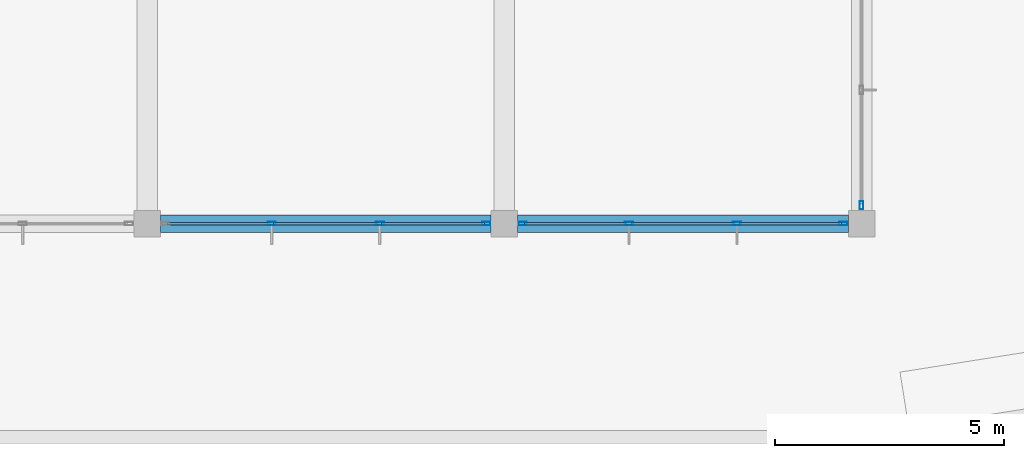
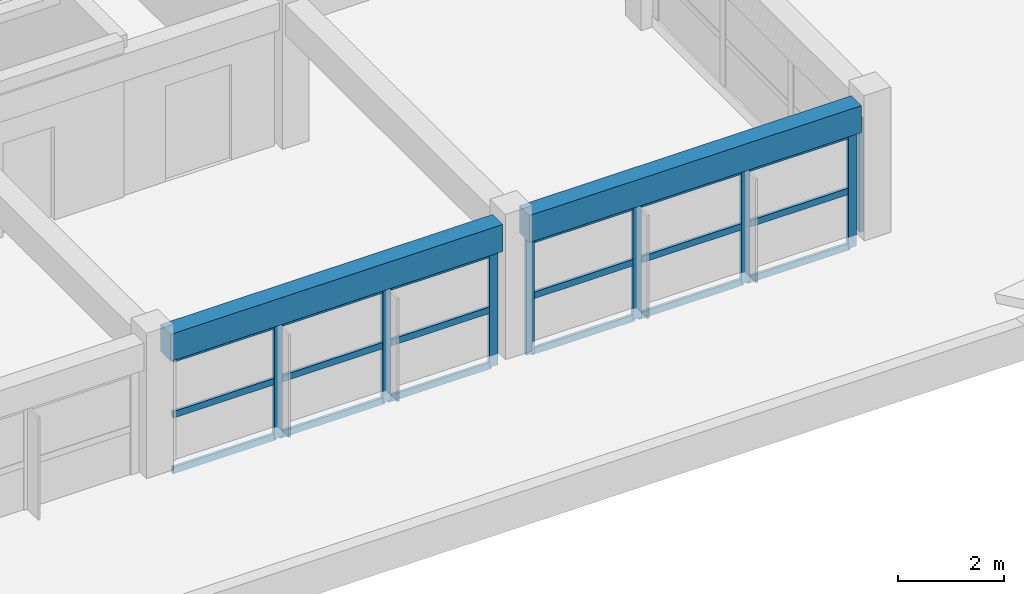
# One storey, part 53 of 101: 26 members, 2 beams, 3 elements without a shape of their own.
"""IFC4 building model written with IfcOpenShell, lengths in metres."""

from ifc_helpers import new_model, si_unit, direction, frame, origin, origin_2d, place, context, subcontext, project, spatial, rectangle, hollow_rectangle, extrude, material, layer, layer_set, material_profile, profile_set, type_object, element, aggregate, save


model = new_model("IFC4")

# Units and contexts
model_context = context("Model", 3, precision=1e-05, world=origin(), true_north=direction((0.0, 1.0)))
body_context = subcontext(model_context, "Body", "Model", "MODEL_VIEW")
ifc_project = project(units=[si_unit("LENGTHUNIT", "METRE"), si_unit("AREAUNIT", "SQUARE_METRE"), si_unit("VOLUMEUNIT", "CUBIC_METRE"), si_unit("PLANEANGLEUNIT", "RADIAN"), si_unit("MASSUNIT", "GRAM", prefix="KILO")], contexts=[model_context])

# Site, building, storey
site_placement = place(None, origin())
site = spatial("IfcSite", under=ifc_project, at=site_placement, CompositionType="ELEMENT")
building_placement = place(site_placement, origin())
building = spatial("IfcBuilding", under=site, at=building_placement, Name="Zizhar Promenade General Hospital", CompositionType="ELEMENT")
storey_placement = place(building_placement, frame((0.0, 0.0, 14.39990234375)))
storey = spatial("IfcBuildingStorey", under=building, at=storey_placement, Name="L03", CompositionType="ELEMENT", Elevation=14.39990234375)

# Beams
ifc_material_1 = material(Name="Concrete C35/45", Category="concrete")
ifc_material_profile_1 = material_profile(ifc_material_1, rectangle(XDim=0.3798828125, YDim=0.6201171875, at=origin_2d()))
ifc_profile_set_1 = profile_set([ifc_material_profile_1], Name="Concrete C35/45")
beam_type = type_object("IfcBeamType", Name="BM-RC-380x620", PredefinedType="JOIST", material=ifc_profile_set_1)
beam_1_placement = place(storey_placement, frame((171.889892578125, 42.0, 3.0), z_axis=(1.0, 0.0, 0.0), x_axis=(0.0, 1.0, 0.0)))
element("IfcBeam", 1, at=beam_1_placement, inside=storey, type_object=beam_type, Name="Grid Beam X L03 (22-5)", PredefinedType="JOIST", context=body_context, shape_type="SweptSolid", body=[
    extrude(rectangle(XDim=0.3798828125, YDim=0.6201171875, at=origin_2d()), origin(), (0.0, 0.0, 1.0), 7.22021484375),
])
beam_2_placement = place(storey_placement, frame((179.68994140625, 42.0, 3.0), z_axis=(1.0, 0.0, 0.0), x_axis=(0.0, 1.0, 0.0)))
element("IfcBeam", 2, at=beam_2_placement, inside=storey, type_object=beam_type, Name="Grid Beam X L03 (23-5)", PredefinedType="JOIST", context=body_context, shape_type="SweptSolid", body=[
    extrude(rectangle(XDim=0.3798828125, YDim=0.6201171875, at=origin_2d()), origin(), (0.0, 0.0, 1.0), 7.219970703125),
])

# Curtain wall, members
ifc_material_2 = material(Name="Anodised aluminium 6063-T6 and low-E glass", Category="aluminium")
ifc_layer = layer(ifc_material_2, 0.159912109375)
ifc_layer_set = layer_set([ifc_layer], Name="Anodised aluminium 6063-T6 and low-E glass")
curtain_wall_type = type_object("IfcCurtainWallType", Name="CW-CLN-L03", PredefinedType="NOTDEFINED", material=ifc_layer_set)
curtain_wall_1_placement = place(storey_placement, origin())
curtain_wall_1 = element("IfcCurtainWall", 3, at=curtain_wall_1_placement, inside=storey, type_object=curtain_wall_type, Name="L03 Clinic Pavilion South Glazing 22", PredefinedType="NOTDEFINED")
ifc_material_3 = material(Name="Anodised aluminium 6063-T6", Category="aluminium")
ifc_material_profile_2 = material_profile(ifc_material_3, hollow_rectangle(XDim=0.080078125, YDim=0.179931640625, WallThickness=0.0048828125, at=origin_2d()))
ifc_profile_set_2 = profile_set([ifc_material_profile_2], Name="Anodised aluminium 6063-T6")
member_type_1 = type_object("IfcMemberType", Name="CWM-ALU-180x80", PredefinedType="MULLION", material=ifc_profile_set_2)
member_1_placement = place(storey_placement, frame((179.0, 42.0, 0.0), z_axis=(0.0, 0.0, 1.0), x_axis=(0.0, -1.0, 0.0)))
member_1 = element("IfcMember", 4, at=member_1_placement, type_object=member_type_1, Name="CW-11 mullion 1", PredefinedType="MULLION", context=body_context, shape_type="SweptSolid", body=[
    extrude(hollow_rectangle(XDim=0.080078125, YDim=0.179931640625, WallThickness=0.0048828125, at=origin_2d()), origin(), (0.0, 0.0, 1.0), 2.6201171875),
])
member_2_placement = place(storey_placement, frame((176.679931640625, 42.0, 0.0), z_axis=(0.0, 0.0, 1.0), x_axis=(0.0, -1.0, 0.0)))
member_2 = element("IfcMember", 5, at=member_2_placement, type_object=member_type_1, Name="CW-11 mullion 2", PredefinedType="MULLION", context=body_context, shape_type="SweptSolid", body=[
    extrude(hollow_rectangle(XDim=0.080078125, YDim=0.179931640625, WallThickness=0.0048828125, at=origin_2d()), origin(), (0.0, 0.0, 1.0), 2.6201171875),
])
member_3_placement = place(storey_placement, frame((174.320068359375, 42.0, 0.0), z_axis=(0.0, 0.0, 1.0), x_axis=(0.0, -1.0, 0.0)))
member_3 = element("IfcMember", 6, at=member_3_placement, type_object=member_type_1, Name="CW-11 mullion 3", PredefinedType="MULLION", context=body_context, shape_type="SweptSolid", body=[
    extrude(hollow_rectangle(XDim=0.080078125, YDim=0.179931640625, WallThickness=0.0048828125, at=origin_2d()), origin(), (0.0, 0.0, 1.0), 2.6201171875),
])

curtain_wall_2_placement = place(storey_placement, origin())
curtain_wall_2 = element("IfcCurtainWall", 7, at=curtain_wall_2_placement, inside=storey, type_object=curtain_wall_type, Name="L03 Clinic Pavilion South Glazing 23", PredefinedType="NOTDEFINED")
member_4_placement = place(storey_placement, frame((186.800048828125, 42.0, 0.0), z_axis=(0.0, 0.0, 1.0), x_axis=(0.0, -1.0, 0.0)))
member_4 = element("IfcMember", 8, at=member_4_placement, type_object=member_type_1, Name="CW-11 mullion 1", PredefinedType="MULLION", context=body_context, shape_type="SweptSolid", body=[
    extrude(hollow_rectangle(XDim=0.080078125, YDim=0.179931640625, WallThickness=0.0048828125, at=origin_2d()), origin(), (0.0, 0.0, 1.0), 2.6201171875),
])
member_5_placement = place(storey_placement, frame((184.47998046875, 42.0, 0.0), z_axis=(0.0, 0.0, 1.0), x_axis=(0.0, -1.0, 0.0)))
member_5 = element("IfcMember", 9, at=member_5_placement, type_object=member_type_1, Name="CW-11 mullion 2", PredefinedType="MULLION", context=body_context, shape_type="SweptSolid", body=[
    extrude(hollow_rectangle(XDim=0.080078125, YDim=0.179931640625, WallThickness=0.0048828125, at=origin_2d()), origin(), (0.0, 0.0, 1.0), 2.6201171875),
])
member_6_placement = place(storey_placement, frame((182.1201171875, 42.0, 0.0), z_axis=(0.0, 0.0, 1.0), x_axis=(0.0, -1.0, 0.0)))
member_6 = element("IfcMember", 10, at=member_6_placement, type_object=member_type_1, Name="CW-11 mullion 3", PredefinedType="MULLION", context=body_context, shape_type="SweptSolid", body=[
    extrude(hollow_rectangle(XDim=0.080078125, YDim=0.179931640625, WallThickness=0.0048828125, at=origin_2d()), origin(), (0.0, 0.0, 1.0), 2.6201171875),
])
member_7_placement = place(storey_placement, frame((179.800048828125, 42.0, 0.0), z_axis=(0.0, 0.0, 1.0), x_axis=(0.0, -1.0, 0.0)))
member_7 = element("IfcMember", 11, at=member_7_placement, type_object=member_type_1, Name="CW-11 mullion 4", PredefinedType="MULLION", context=body_context, shape_type="SweptSolid", body=[
    extrude(hollow_rectangle(XDim=0.080078125, YDim=0.179931640625, WallThickness=0.0048828125, at=origin_2d()), origin(), (0.0, 0.0, 1.0), 2.6201171875),
])

# Curtain wall, member
curtain_wall_3_placement = place(storey_placement, origin())
curtain_wall_3 = element("IfcCurtainWall", 12, at=curtain_wall_3_placement, inside=storey, type_object=curtain_wall_type, Name="L03 Clinic Pavilion East Glazing 5", PredefinedType="NOTDEFINED")
member_8_placement = place(storey_placement, frame((187.199951171875, 42.39990234375, 0.0), z_axis=(0.0, 0.0, 1.0), x_axis=(1.0, 0.0, 0.0)))
member_8 = element("IfcMember", 13, at=member_8_placement, type_object=member_type_1, Name="CW-11 mullion 4", PredefinedType="MULLION", context=body_context, shape_type="SweptSolid", body=[
    extrude(hollow_rectangle(XDim=0.080078125, YDim=0.179931640625, WallThickness=0.0048828125, at=origin_2d()), origin(), (0.0, 0.0, 1.0), 2.6201171875),
])
aggregate(curtain_wall_3, [member_8])

# Member
ifc_material_4 = material(Name="Anodised aluminium 6063-T6", Category="aluminium")
ifc_material_profile_3 = material_profile(ifc_material_4, hollow_rectangle(XDim=0.06005859375, YDim=0.14990234375, WallThickness=0.00390625, at=origin_2d()))
ifc_profile_set_3 = profile_set([ifc_material_profile_3], Name="Anodised aluminium 6063-T6")
member_type_2 = type_object("IfcMemberType", Name="CWT-ALU-150x60", PredefinedType="USERDEFINED", material=ifc_profile_set_3)
member_9_placement = place(storey_placement, frame((178.9599609375, 42.0, 0.030029296875), z_axis=(-1.0, 0.0, 0.0), x_axis=(0.0, -1.0, 0.0)))
member_9 = element("IfcMember", 14, at=member_9_placement, type_object=member_type_2, Name="CW-11 transom 1.1", ObjectType="TRANSOM", PredefinedType="USERDEFINED", context=body_context, shape_type="SweptSolid", body=[
    extrude(hollow_rectangle(XDim=0.06005859375, YDim=0.14990234375, WallThickness=0.00390625, at=origin_2d()), origin(), (0.0, 0.0, 1.0), 2.239990234375),
])

member_10_placement = place(storey_placement, frame((178.9599609375, 42.0, 1.31005859375), z_axis=(-1.0, 0.0, 0.0), x_axis=(0.0, -1.0, 0.0)))
member_10 = element("IfcMember", 15, at=member_10_placement, type_object=member_type_2, Name="CW-11 transom 1.2", ObjectType="TRANSOM", PredefinedType="USERDEFINED", context=body_context, shape_type="SweptSolid", body=[
    extrude(hollow_rectangle(XDim=0.06005859375, YDim=0.14990234375, WallThickness=0.00390625, at=origin_2d()), origin(), (0.0, 0.0, 1.0), 2.239990234375),
])

member_11_placement = place(storey_placement, frame((178.9599609375, 42.0, 2.590087890625), z_axis=(-1.0, 0.0, 0.0), x_axis=(0.0, -1.0, 0.0)))
member_11 = element("IfcMember", 16, at=member_11_placement, type_object=member_type_2, Name="CW-11 transom 1.3", ObjectType="TRANSOM", PredefinedType="USERDEFINED", context=body_context, shape_type="SweptSolid", body=[
    extrude(hollow_rectangle(XDim=0.06005859375, YDim=0.14990234375, WallThickness=0.00390625, at=origin_2d()), origin(), (0.0, 0.0, 1.0), 2.239990234375),
])

member_12_placement = place(storey_placement, frame((176.639892578125, 42.0, 0.030029296875), z_axis=(-1.0, 0.0, 0.0), x_axis=(0.0, -1.0, 0.0)))
member_12 = element("IfcMember", 17, at=member_12_placement, type_object=member_type_2, Name="CW-11 transom 2.1", ObjectType="TRANSOM", PredefinedType="USERDEFINED", context=body_context, shape_type="SweptSolid", body=[
    extrude(hollow_rectangle(XDim=0.06005859375, YDim=0.14990234375, WallThickness=0.00390625, at=origin_2d()), origin(), (0.0, 0.0, 1.0), 2.27978515625),
])

member_13_placement = place(storey_placement, frame((176.639892578125, 42.0, 1.31005859375), z_axis=(-1.0, 0.0, 0.0), x_axis=(0.0, -1.0, 0.0)))
member_13 = element("IfcMember", 18, at=member_13_placement, type_object=member_type_2, Name="CW-11 transom 2.2", ObjectType="TRANSOM", PredefinedType="USERDEFINED", context=body_context, shape_type="SweptSolid", body=[
    extrude(hollow_rectangle(XDim=0.06005859375, YDim=0.14990234375, WallThickness=0.00390625, at=origin_2d()), origin(), (0.0, 0.0, 1.0), 2.27978515625),
])

member_14_placement = place(storey_placement, frame((176.639892578125, 42.0, 2.590087890625), z_axis=(-1.0, 0.0, 0.0), x_axis=(0.0, -1.0, 0.0)))
member_14 = element("IfcMember", 19, at=member_14_placement, type_object=member_type_2, Name="CW-11 transom 2.3", ObjectType="TRANSOM", PredefinedType="USERDEFINED", context=body_context, shape_type="SweptSolid", body=[
    extrude(hollow_rectangle(XDim=0.06005859375, YDim=0.14990234375, WallThickness=0.00390625, at=origin_2d()), origin(), (0.0, 0.0, 1.0), 2.27978515625),
])

member_15_placement = place(storey_placement, frame((174.280029296875, 42.0, 0.030029296875), z_axis=(-1.0, 0.0, 0.0), x_axis=(0.0, -1.0, 0.0)))
member_15 = element("IfcMember", 20, at=member_15_placement, type_object=member_type_2, Name="CW-11 transom 3.1", ObjectType="TRANSOM", PredefinedType="USERDEFINED", context=body_context, shape_type="SweptSolid", body=[
    extrude(hollow_rectangle(XDim=0.06005859375, YDim=0.14990234375, WallThickness=0.00390625, at=origin_2d()), origin(), (0.0, 0.0, 1.0), 2.239990234375),
])

member_16_placement = place(storey_placement, frame((174.280029296875, 42.0, 1.31005859375), z_axis=(-1.0, 0.0, 0.0), x_axis=(0.0, -1.0, 0.0)))
member_16 = element("IfcMember", 21, at=member_16_placement, type_object=member_type_2, Name="CW-11 transom 3.2", ObjectType="TRANSOM", PredefinedType="USERDEFINED", context=body_context, shape_type="SweptSolid", body=[
    extrude(hollow_rectangle(XDim=0.06005859375, YDim=0.14990234375, WallThickness=0.00390625, at=origin_2d()), origin(), (0.0, 0.0, 1.0), 2.239990234375),
])

member_17_placement = place(storey_placement, frame((174.280029296875, 42.0, 2.590087890625), z_axis=(-1.0, 0.0, 0.0), x_axis=(0.0, -1.0, 0.0)))
member_17 = element("IfcMember", 22, at=member_17_placement, type_object=member_type_2, Name="CW-11 transom 3.3", ObjectType="TRANSOM", PredefinedType="USERDEFINED", context=body_context, shape_type="SweptSolid", body=[
    extrude(hollow_rectangle(XDim=0.06005859375, YDim=0.14990234375, WallThickness=0.00390625, at=origin_2d()), origin(), (0.0, 0.0, 1.0), 2.239990234375),
])

aggregate(curtain_wall_1, [member_1, member_2, member_3, member_9, member_10, member_11, member_12, member_13, member_14, member_15, member_16, member_17])

member_18_placement = place(storey_placement, frame((186.760009765625, 42.0, 0.030029296875), z_axis=(-1.0, 0.0, 0.0), x_axis=(0.0, -1.0, 0.0)))
member_18 = element("IfcMember", 23, at=member_18_placement, type_object=member_type_2, Name="CW-11 transom 1.1", ObjectType="TRANSOM", PredefinedType="USERDEFINED", context=body_context, shape_type="SweptSolid", body=[
    extrude(hollow_rectangle(XDim=0.06005859375, YDim=0.14990234375, WallThickness=0.00390625, at=origin_2d()), origin(), (0.0, 0.0, 1.0), 2.239990234375),
])

member_19_placement = place(storey_placement, frame((186.760009765625, 42.0, 1.31005859375), z_axis=(-1.0, 0.0, 0.0), x_axis=(0.0, -1.0, 0.0)))
member_19 = element("IfcMember", 24, at=member_19_placement, type_object=member_type_2, Name="CW-11 transom 1.2", ObjectType="TRANSOM", PredefinedType="USERDEFINED", context=body_context, shape_type="SweptSolid", body=[
    extrude(hollow_rectangle(XDim=0.06005859375, YDim=0.14990234375, WallThickness=0.00390625, at=origin_2d()), origin(), (0.0, 0.0, 1.0), 2.239990234375),
])

member_20_placement = place(storey_placement, frame((186.760009765625, 42.0, 2.590087890625), z_axis=(-1.0, 0.0, 0.0), x_axis=(0.0, -1.0, 0.0)))
member_20 = element("IfcMember", 25, at=member_20_placement, type_object=member_type_2, Name="CW-11 transom 1.3", ObjectType="TRANSOM", PredefinedType="USERDEFINED", context=body_context, shape_type="SweptSolid", body=[
    extrude(hollow_rectangle(XDim=0.06005859375, YDim=0.14990234375, WallThickness=0.00390625, at=origin_2d()), origin(), (0.0, 0.0, 1.0), 2.239990234375),
])

member_21_placement = place(storey_placement, frame((184.43994140625, 42.0, 0.030029296875), z_axis=(-1.0, 0.0, 0.0), x_axis=(0.0, -1.0, 0.0)))
member_21 = element("IfcMember", 26, at=member_21_placement, type_object=member_type_2, Name="CW-11 transom 2.1", ObjectType="TRANSOM", PredefinedType="USERDEFINED", context=body_context, shape_type="SweptSolid", body=[
    extrude(hollow_rectangle(XDim=0.06005859375, YDim=0.14990234375, WallThickness=0.00390625, at=origin_2d()), origin(), (0.0, 0.0, 1.0), 2.280029296875),
])

member_22_placement = place(storey_placement, frame((184.43994140625, 42.0, 1.31005859375), z_axis=(-1.0, 0.0, 0.0), x_axis=(0.0, -1.0, 0.0)))
member_22 = element("IfcMember", 27, at=member_22_placement, type_object=member_type_2, Name="CW-11 transom 2.2", ObjectType="TRANSOM", PredefinedType="USERDEFINED", context=body_context, shape_type="SweptSolid", body=[
    extrude(hollow_rectangle(XDim=0.06005859375, YDim=0.14990234375, WallThickness=0.00390625, at=origin_2d()), origin(), (0.0, 0.0, 1.0), 2.280029296875),
])

member_23_placement = place(storey_placement, frame((184.43994140625, 42.0, 2.590087890625), z_axis=(-1.0, 0.0, 0.0), x_axis=(0.0, -1.0, 0.0)))
member_23 = element("IfcMember", 28, at=member_23_placement, type_object=member_type_2, Name="CW-11 transom 2.3", ObjectType="TRANSOM", PredefinedType="USERDEFINED", context=body_context, shape_type="SweptSolid", body=[
    extrude(hollow_rectangle(XDim=0.06005859375, YDim=0.14990234375, WallThickness=0.00390625, at=origin_2d()), origin(), (0.0, 0.0, 1.0), 2.280029296875),
])

member_24_placement = place(storey_placement, frame((182.080078125, 42.0, 0.030029296875), z_axis=(-1.0, 0.0, 0.0), x_axis=(0.0, -1.0, 0.0)))
member_24 = element("IfcMember", 29, at=member_24_placement, type_object=member_type_2, Name="CW-11 transom 3.1", ObjectType="TRANSOM", PredefinedType="USERDEFINED", context=body_context, shape_type="SweptSolid", body=[
    extrude(hollow_rectangle(XDim=0.06005859375, YDim=0.14990234375, WallThickness=0.00390625, at=origin_2d()), origin(), (0.0, 0.0, 1.0), 2.239990234375),
])

member_25_placement = place(storey_placement, frame((182.080078125, 42.0, 1.31005859375), z_axis=(-1.0, 0.0, 0.0), x_axis=(0.0, -1.0, 0.0)))
member_25 = element("IfcMember", 30, at=member_25_placement, type_object=member_type_2, Name="CW-11 transom 3.2", ObjectType="TRANSOM", PredefinedType="USERDEFINED", context=body_context, shape_type="SweptSolid", body=[
    extrude(hollow_rectangle(XDim=0.06005859375, YDim=0.14990234375, WallThickness=0.00390625, at=origin_2d()), origin(), (0.0, 0.0, 1.0), 2.239990234375),
])

member_26_placement = place(storey_placement, frame((182.080078125, 42.0, 2.590087890625), z_axis=(-1.0, 0.0, 0.0), x_axis=(0.0, -1.0, 0.0)))
member_26 = element("IfcMember", 31, at=member_26_placement, type_object=member_type_2, Name="CW-11 transom 3.3", ObjectType="TRANSOM", PredefinedType="USERDEFINED", context=body_context, shape_type="SweptSolid", body=[
    extrude(hollow_rectangle(XDim=0.06005859375, YDim=0.14990234375, WallThickness=0.00390625, at=origin_2d()), origin(), (0.0, 0.0, 1.0), 2.239990234375),
])

aggregate(curtain_wall_2, [member_4, member_5, member_6, member_7, member_18, member_19, member_20, member_21, member_22, member_23, member_24, member_25, member_26])

save(model, "model.ifc")
